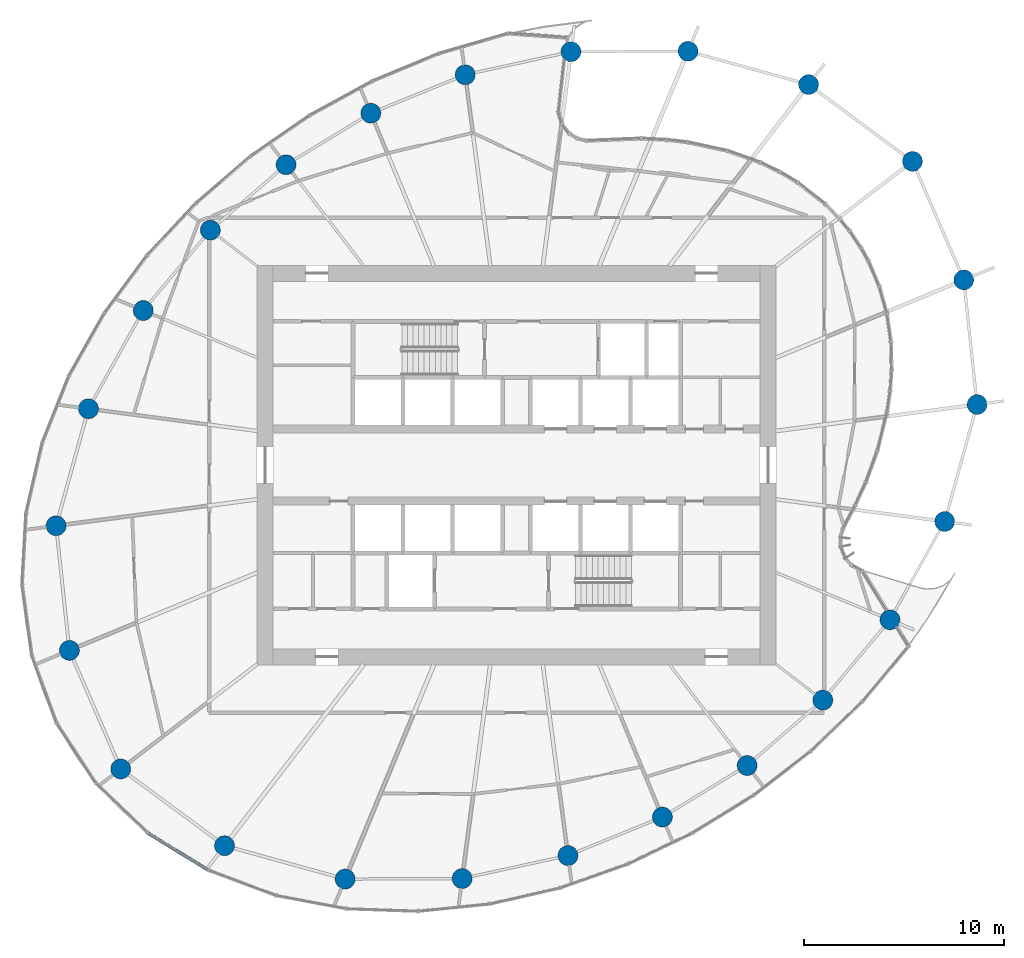
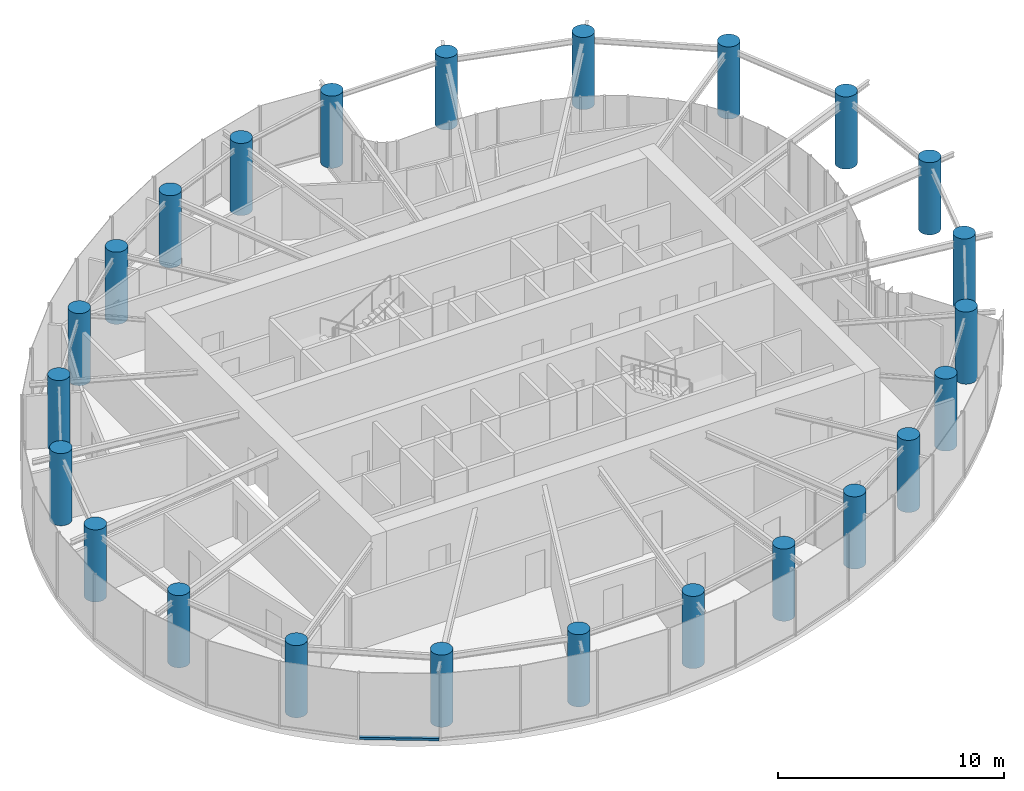
# One storey, part 1 of 19: 24 columns, 1 member, 1 element without a shape of its own.
"""IFC4 building model written with IfcOpenShell, lengths in metres."""

from ifc_helpers import new_model, si_unit, direction, frame, origin, origin_2d, place, context, subcontext, project, spatial, rectangle, circle, extrude, source, transform, mapped, material, layer, layer_set, material_profile, profile_set, type_object, element, aggregate, save


model = new_model("IFC4")

# Units and contexts
model_context = context("Model", 3, precision=1e-05, world=origin(), true_north=direction((0.0, 1.0)))
body_context = subcontext(model_context, "Body", "Model", "MODEL_VIEW")
ifc_project = project(units=[si_unit("LENGTHUNIT", "METRE"), si_unit("AREAUNIT", "SQUARE_METRE"), si_unit("VOLUMEUNIT", "CUBIC_METRE"), si_unit("PLANEANGLEUNIT", "RADIAN"), si_unit("MASSUNIT", "GRAM", prefix="KILO")], contexts=[model_context])

# Site, building, storey
site_placement = place(None, origin())
site = spatial("IfcSite", under=ifc_project, at=site_placement, CompositionType="ELEMENT")
building_placement = place(site_placement, origin())
building = spatial("IfcBuilding", under=site, at=building_placement, Name="Spindrift Exchange Tower", CompositionType="ELEMENT")
storey_placement = place(building_placement, frame((0.0, 0.0, 137.0)))
storey = spatial("IfcBuildingStorey", under=building, at=storey_placement, Name="L32", CompositionType="ELEMENT", Elevation=137.0)

# Columns
ifc_material_1 = material(Name="Concrete 50 MPa", Category="concrete")
ifc_material_profile_1 = material_profile(ifc_material_1, circle(Radius=0.5, at=origin_2d()), Name="RC D1000")
ifc_profile_set_1 = profile_set([ifc_material_profile_1], Name="Concrete 50 MPa")
column_type = type_object("IfcColumnType", Name="RC Perimeter Column D1000 Concrete 50 MPa", PredefinedType="COLUMN", material=ifc_profile_set_1)
shared_shape_1 = source(origin(), body_context, "Body", "SweptSolid", [
    extrude(circle(Radius=0.5, at=origin_2d()), origin(), (0.0, 0.0, 1.0), 3.89990234375),
])
for number, where, z_axis, x_axis, name in (
    (1, (75.06201171875, 51.0361328125, 0.0), (0.0, 0.0, 1.0), (1.0, 0.0, 0.0), "Perimeter column P3-01 L32"),
    (2, (74.396728515625, 57.277099609375, 0.0), (0.0, 0.0, 1.0), (1.0, 0.0, 0.0), "Perimeter column P3-02 L32"),
    (3, (71.825927734375, 63.212890625, 0.0), (0.0, 0.0, 1.0), (1.0, 0.0, 0.0), "Perimeter column P3-03 L32"),
    (4, (66.625, 67.0595703125, 0.0), (0.0, 0.0, 1.0), (1.0, 0.0, 0.0), "Perimeter column P3-04 L32"),
    (5, (60.5869140625, 68.73095703125, 0.0), (0.0, 0.0, 1.0), (1.0, 0.0, 0.0), "Perimeter column P3-05 L32"),
    (6, (54.725830078125, 68.705322265625, 0.0), (0.0, 0.0, 1.0), (1.0, 0.0, 0.0), "Perimeter column P3-06 L32"),
    (7, (49.426025390625, 67.55126953125, 0.0), (0.0, 0.0, 1.0), (1.0, 0.0, 0.0), "Perimeter column P3-07 L32"),
    (8, (44.69921875, 65.625732421875, 0.0), (0.0, 0.0, 1.0), (1.0, 0.0, 0.0), "Perimeter column P3-08 L32"),
    (9, (40.4560546875, 63.04443359375, 0.0), (0.0, 0.0, 1.0), (1.0, 0.0, 0.0), "Perimeter column P3-09 L32"),
    (10, (36.663818359375, 59.76806640625, 0.0), (0.0, 0.0, 1.0), (1.0, 0.0, 0.0), "Perimeter column P3-10 L32"),
    (11, (33.30078125, 55.74560546875, 0.0), (0.0, 0.0, 1.0), (1.0, 0.0, 0.0), "Perimeter column P3-11 L32"),
    (12, (30.55908203125, 50.82275390625, 0.0), (0.0, 0.0, 1.0), (1.0, 0.0, 0.0), "Perimeter column P3-12 L32"),
    (13, (28.93798828125, 44.9638671875, 0.0), (0.0, 0.0, 1.0), (1.0, 0.0, 0.0), "Perimeter column P3-13 L32"),
    (14, (29.603271484375, 38.722900390625, 0.0), (0.0, 0.0, 1.0), (1.0, 0.0, 0.0), "Perimeter column P3-14 L32"),
    (15, (32.174072265625, 32.787109375, 0.0), (0.0, 0.0, 1.0), (1.0, 0.0, 0.0), "Perimeter column P3-15 L32"),
    (16, (37.375, 28.9404296875, 0.0), (0.0, 0.0, 1.0), (1.0, 0.0, 0.0), "Perimeter column P3-16 L32"),
    (17, (43.4130859375, 27.26904296875, 0.0), (0.0, 0.0, 1.0), (1.0, 0.0, 0.0), "Perimeter column P3-17 L32"),
    (18, (49.274169921875, 27.294677734375, 0.0), (0.0, 0.0, 1.0), (1.0, 0.0, 0.0), "Perimeter column P3-18 L32"),
    (19, (54.573974609375, 28.44873046875, 0.0), (0.0, 0.0, 1.0), (1.0, 0.0, 0.0), "Perimeter column P3-19 L32"),
    (20, (59.30078125, 30.374267578125, 0.0), (0.0, 0.0, 1.0), (1.0, 0.0, 0.0), "Perimeter column P3-20 L32"),
    (21, (63.5439453125, 32.95556640625, 0.0), (0.0, 0.0, 1.0), (1.0, 0.0, 0.0), "Perimeter column P3-21 L32"),
    (22, (67.336181640625, 36.23193359375, 0.0), (0.0, 0.0, 1.0), (1.0, 0.0, 0.0), "Perimeter column P3-22 L32"),
    (23, (70.69921875, 40.25439453125, 0.0), (0.0, 0.0, 1.0), (1.0, 0.0, 0.0), "Perimeter column P3-23 L32"),
    (24, (73.44091796875, 45.17724609375, 0.0), (0.0, 0.0, 1.0), (1.0, 0.0, 0.0), "Perimeter column P3-24 L32"),
):
    element("IfcColumn", number, at=place(storey_placement, frame(where, z_axis=z_axis, x_axis=x_axis)), inside=storey, type_object=column_type, Name=name, PredefinedType="COLUMN", context=body_context, shape_type="MappedRepresentation", body=[
        mapped(shared_shape_1, transform((0.0, 0.0, 0.0), scale=1.0)),
    ])

# Curtain wall, member
ifc_material_2 = material(Name="Fritted laminated glass with bronze frame", Category="glass")
ifc_layer = layer(ifc_material_2, 0.179931640625)
ifc_layer_set = layer_set([ifc_layer], Name="ZONE 3 BRONZE FRITTED WALL")
curtain_wall_type = type_object("IfcCurtainWallType", Name="ZONE 3 BRONZE FRITTED WALL", PredefinedType="NOTDEFINED", material=ifc_layer_set)
curtain_wall_placement = place(storey_placement, origin())
curtain_wall = element("IfcCurtainWall", 25, at=curtain_wall_placement, inside=storey, type_object=curtain_wall_type, Name="L32 Zone 3 Bronze Fritted Wall run 3", PredefinedType="NOTDEFINED")
ifc_material_3 = material(Name="Bronze anodised aluminium", Category="aluminium")
ifc_material_profile_2 = material_profile(ifc_material_3, rectangle(XDim=0.159912109375, YDim=0.1298828125, at=origin_2d()), Name="ZONE 3 BRONZE FRITTED WALL TRANSOM 160X130")
ifc_profile_set_2 = profile_set([ifc_material_profile_2], Name="Bronze anodised aluminium")
member_type = type_object("IfcMemberType", Name="ZONE 3 BRONZE FRITTED WALL TRANSOM 160X130", PredefinedType="USERDEFINED", material=ifc_profile_set_2)
shared_shape_2 = source(origin(), body_context, "Body", "SweptSolid", [
    extrude(rectangle(XDim=0.159912109375, YDim=0.1298828125, at=origin_2d()), origin(), (0.0, 0.0, 1.0), 3.5263671875),
])
member_placement = place(storey_placement, frame((33.54345703125, 29.567626953125, 0.06494140625), z_axis=(0.852176100082, -0.523255095005, 0.0), x_axis=(0.523255095005, 0.852176100082, 0.0)))
member = element("IfcMember", 26, at=member_placement, type_object=member_type, Name="L32 transom CW-3.16", ObjectType="TRANSOM", PredefinedType="USERDEFINED", context=body_context, shape_type="MappedRepresentation", body=[
    mapped(shared_shape_2, transform((0.0, 0.0, 0.0), scale=1.0)),
])
aggregate(curtain_wall, [member])

save(model, "model.ifc")
